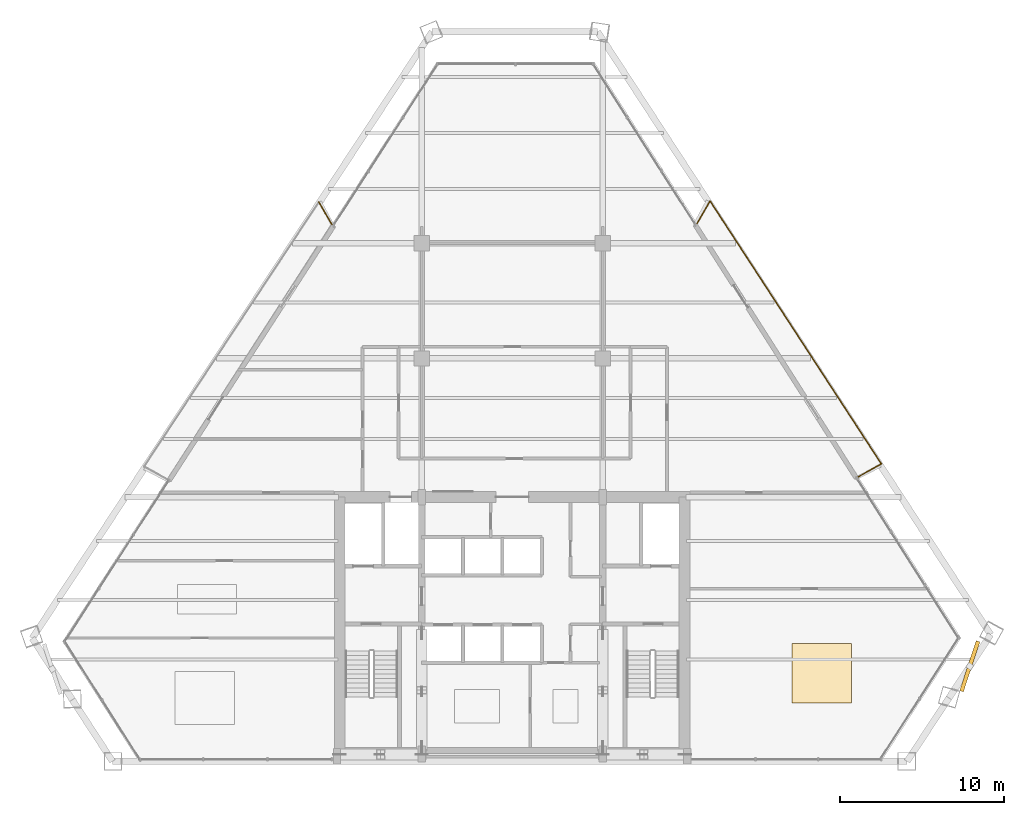
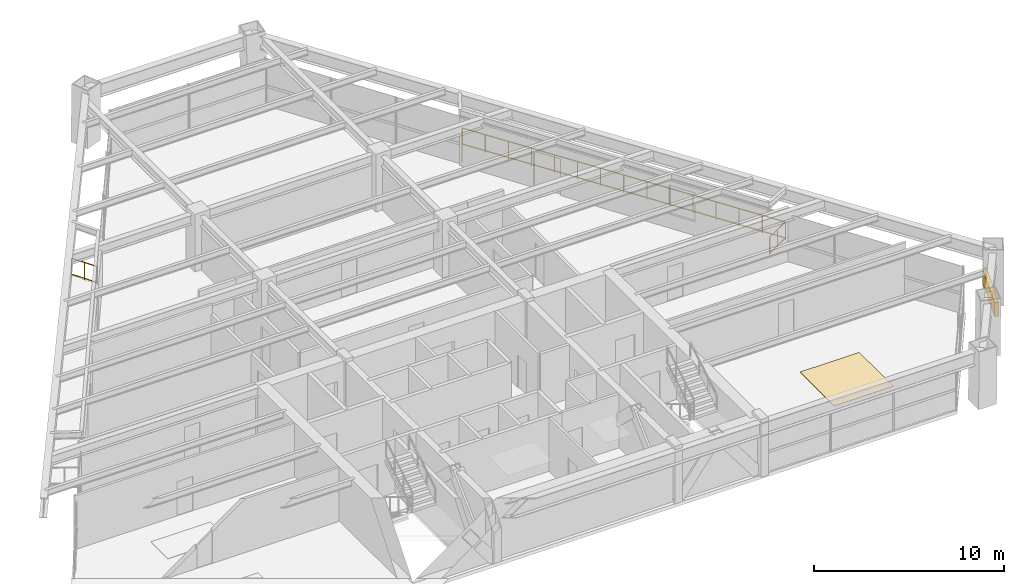
# One storey, part 15 of 15: 4 railings, 1 covering, 1 shading device.
"""IFC4 building model written with IfcOpenShell, lengths in metres."""

from ifc_helpers import new_model, si_unit, direction, frame, origin, origin_2d, place, context, subcontext, project, spatial, rectangle, extrude, source, transform, mapped, material, layer, layer_set, type_object, type_shapes, element, save


model = new_model("IFC4")

# Units and contexts
model_context = context("Model", 3, precision=1e-05, world=origin(), true_north=direction((0.0, 1.0)))
body_context = subcontext(model_context, "Body", "Model", "MODEL_VIEW")
ifc_project = project(units=[si_unit("LENGTHUNIT", "METRE"), si_unit("AREAUNIT", "SQUARE_METRE"), si_unit("VOLUMEUNIT", "CUBIC_METRE"), si_unit("PLANEANGLEUNIT", "RADIAN"), si_unit("MASSUNIT", "GRAM", prefix="KILO")], contexts=[model_context])

# Site, building, storey
site_placement = place(None, origin())
site = spatial("IfcSite", under=ifc_project, at=site_placement, CompositionType="ELEMENT")
building_placement = place(site_placement, origin())
building = spatial("IfcBuilding", under=site, at=building_placement, Name="Varnakhor Terracotta Tower", CompositionType="ELEMENT")
storey_placement = place(building_placement, frame((0.0, 0.0, 147.800048828125)))
storey = spatial("IfcBuildingStorey", under=building, at=storey_placement, Name="L37", CompositionType="ELEMENT", Elevation=147.800048828125)

# Railings
ifc_material_1 = material(Name="Stainless Steel & Laminated Glass Guardrail", Category="steel")
railing_type = type_object("IfcRailingType", Name="RLG-LOGGIA-GUARD-1150", PredefinedType="GUARDRAIL", material=ifc_material_1)
railing_1_placement = place(storey_placement, frame((11.2373046875, 32.701171875, 0.0)))
element("IfcRailing", 1, at=railing_1_placement, inside=storey, type_object=railing_type, Name="L37 E Loggia Glass Guard 1", PredefinedType="GUARDRAIL", context=body_context, shape_type="SweptSolid", body=[
    extrude(rectangle(XDim=0.048095703125, YDim=0.048095703125, at=origin_2d()), frame((0.0, 0.0, 1.1259765625), z_axis=(0.503735433439, 0.863857982019, 0.0), x_axis=(-0.863857982019, 0.503735433439, 0.0)), (0.0, 0.0, 1.0), 1.5673828125),
    extrude(rectangle(XDim=0.048095703125, YDim=0.048095703125, at=origin_2d()), frame((0.0, 0.0, 0.10009765625), z_axis=(0.503735433439, 0.863857982019, 0.0), x_axis=(-0.863857982019, 0.503735433439, 0.0)), (0.0, 0.0, 1.0), 1.5673828125),
    extrude(rectangle(XDim=0.0419921875, YDim=0.0419921875, at=origin_2d()), origin(), (0.0, 0.0, 1.0), 1.101806640625),
    extrude(rectangle(XDim=0.0419921875, YDim=0.0419921875, at=origin_2d()), frame((0.394775390625, 0.677001953125, 0.0)), (0.0, 0.0, 1.0), 1.101806640625),
    extrude(rectangle(XDim=0.0419921875, YDim=0.0419921875, at=origin_2d()), frame((0.78955078125, 1.35400390625, 0.0)), (0.0, 0.0, 1.0), 1.101806640625),
])
railing_2_placement = place(storey_placement, frame((12.02685546875, 34.05517578125, 0.0)))
element("IfcRailing", 2, at=railing_2_placement, inside=storey, type_object=railing_type, Name="L37 E Loggia Glass Guard 2", PredefinedType="GUARDRAIL", context=body_context, shape_type="SweptSolid", body=[
    extrude(rectangle(XDim=0.048095703125, YDim=0.048095703125, at=origin_2d()), frame((0.0, 0.0, 1.1259765625), z_axis=(0.546411934736, -0.837516565554, 0.0), x_axis=(0.837516565554, 0.546411934736, 0.0)), (0.0, 0.0, 1.0), 19.06201171875),
    extrude(rectangle(XDim=0.048095703125, YDim=0.048095703125, at=origin_2d()), frame((0.0, 0.0, 0.10009765625), z_axis=(0.546411934736, -0.837516565554, 0.0), x_axis=(0.837516565554, 0.546411934736, 0.0)), (0.0, 0.0, 1.0), 19.06201171875),
    extrude(rectangle(XDim=0.0419921875, YDim=0.0419921875, at=origin_2d()), origin(), (0.0, 0.0, 1.0), 1.101806640625),
    extrude(rectangle(XDim=0.0419921875, YDim=0.0419921875, at=origin_2d()), frame((0.743896484375, -1.140380859375, 0.0)), (0.0, 0.0, 1.0), 1.101806640625),
    extrude(rectangle(XDim=0.0419921875, YDim=0.0419921875, at=origin_2d()), frame((1.488037109375, -2.28076171875, 0.0)), (0.0, 0.0, 1.0), 1.101806640625),
    extrude(rectangle(XDim=0.0419921875, YDim=0.0419921875, at=origin_2d()), frame((2.23193359375, -3.421142578125, 0.0)), (0.0, 0.0, 1.0), 1.101806640625),
    extrude(rectangle(XDim=0.0419921875, YDim=0.0419921875, at=origin_2d()), frame((2.975830078125, -4.561279296875, 0.0)), (0.0, 0.0, 1.0), 1.101806640625),
    extrude(rectangle(XDim=0.0419921875, YDim=0.0419921875, at=origin_2d()), frame((3.719970703125, -5.70166015625, 0.0)), (0.0, 0.0, 1.0), 1.101806640625),
    extrude(rectangle(XDim=0.0419921875, YDim=0.0419921875, at=origin_2d()), frame((4.4638671875, -6.842041015625, 0.0)), (0.0, 0.0, 1.0), 1.101806640625),
    extrude(rectangle(XDim=0.0419921875, YDim=0.0419921875, at=origin_2d()), frame((5.2080078125, -7.982421875, 0.0)), (0.0, 0.0, 1.0), 1.101806640625),
    extrude(rectangle(XDim=0.0419921875, YDim=0.0419921875, at=origin_2d()), frame((5.951904296875, -9.122802734375, 0.0)), (0.0, 0.0, 1.0), 1.101806640625),
    extrude(rectangle(XDim=0.0419921875, YDim=0.0419921875, at=origin_2d()), frame((6.69580078125, -10.26318359375, 0.0)), (0.0, 0.0, 1.0), 1.101806640625),
    extrude(rectangle(XDim=0.0419921875, YDim=0.0419921875, at=origin_2d()), frame((7.43994140625, -11.403564453125, 0.0)), (0.0, 0.0, 1.0), 1.101806640625),
    extrude(rectangle(XDim=0.0419921875, YDim=0.0419921875, at=origin_2d()), frame((8.183837890625, -12.543701171875, 0.0)), (0.0, 0.0, 1.0), 1.101806640625),
    extrude(rectangle(XDim=0.0419921875, YDim=0.0419921875, at=origin_2d()), frame((8.927734375, -13.68408203125, 0.0)), (0.0, 0.0, 1.0), 1.101806640625),
    extrude(rectangle(XDim=0.0419921875, YDim=0.0419921875, at=origin_2d()), frame((9.671875, -14.824462890625, 0.0)), (0.0, 0.0, 1.0), 1.101806640625),
    extrude(rectangle(XDim=0.0419921875, YDim=0.0419921875, at=origin_2d()), frame((10.415771484375, -15.96484375, 0.0)), (0.0, 0.0, 1.0), 1.101806640625),
])
railing_3_placement = place(storey_placement, frame((22.442626953125, 18.09033203125, 0.0)))
element("IfcRailing", 3, at=railing_3_placement, inside=storey, type_object=railing_type, Name="L37 E Loggia Glass Guard 3", PredefinedType="GUARDRAIL", context=body_context, shape_type="SweptSolid", body=[
    extrude(rectangle(XDim=0.048095703125, YDim=0.048095703125, at=origin_2d()), frame((0.0, 0.0, 1.1259765625), z_axis=(-0.870788704823, -0.491657433131, 0.0), x_axis=(0.491657433131, -0.870788704823, 0.0)), (0.0, 0.0, 1.0), 1.60986328125),
    extrude(rectangle(XDim=0.048095703125, YDim=0.048095703125, at=origin_2d()), frame((0.0, 0.0, 0.10009765625), z_axis=(-0.870788704823, -0.491657433131, 0.0), x_axis=(0.491657433131, -0.870788704823, 0.0)), (0.0, 0.0, 1.0), 1.60986328125),
    extrude(rectangle(XDim=0.0419921875, YDim=0.0419921875, at=origin_2d()), origin(), (0.0, 0.0, 1.0), 1.101806640625),
    extrude(rectangle(XDim=0.0419921875, YDim=0.0419921875, at=origin_2d()), frame((-0.700927734375, -0.395751953125, 0.0)), (0.0, 0.0, 1.0), 1.101806640625),
    extrude(rectangle(XDim=0.0419921875, YDim=0.0419921875, at=origin_2d()), frame((-1.40185546875, -0.79150390625, 0.0)), (0.0, 0.0, 1.0), 1.101806640625),
])
railing_4_placement = place(storey_placement, frame((-11.75634765625, 33.9951171875, 0.0)))
element("IfcRailing", 4, at=railing_4_placement, inside=storey, type_object=railing_type, Name="L37 W Loggia Glass Guard 3", PredefinedType="GUARDRAIL", context=body_context, shape_type="SweptSolid", body=[
    extrude(rectangle(XDim=0.048095703125, YDim=0.048095703125, at=origin_2d()), frame((0.0, 0.0, 1.1259765625), z_axis=(0.505623524844, -0.862754224055, 0.0), x_axis=(0.862754224055, 0.505623524844, 0.0)), (0.0, 0.0, 1.0), 1.56689453125),
    extrude(rectangle(XDim=0.048095703125, YDim=0.048095703125, at=origin_2d()), frame((0.0, 0.0, 0.10009765625), z_axis=(0.505623524844, -0.862754224055, 0.0), x_axis=(0.862754224055, 0.505623524844, 0.0)), (0.0, 0.0, 1.0), 1.56689453125),
    extrude(rectangle(XDim=0.0419921875, YDim=0.0419921875, at=origin_2d()), origin(), (0.0, 0.0, 1.0), 1.101806640625),
    extrude(rectangle(XDim=0.0419921875, YDim=0.0419921875, at=origin_2d()), frame((0.39599609375, -0.67578125, 0.0)), (0.0, 0.0, 1.0), 1.101806640625),
    extrude(rectangle(XDim=0.0419921875, YDim=0.0419921875, at=origin_2d()), frame((0.792236328125, -1.351806640625, 0.0)), (0.0, 0.0, 1.0), 1.101806640625),
])

# Shading device
ifc_material_2 = material(Name="Extruded Architectural Terracotta Screen", Category="masonry")
shading_device_type = type_object("IfcShadingDeviceType", Name="TERRACOTTA SOLAR SCREEN E", PredefinedType="USERDEFINED", material=ifc_material_2)
shared_shape_1 = source(origin(), body_context, "Body", "SweptSolid", [
    extrude(rectangle(XDim=3.199951171875, YDim=0.239990234375, at=origin_2d()), origin(), (0.0, 0.0, 1.0), 0.919921875),
])
type_shapes(shading_device_type, [shared_shape_1])
shading_device_placement = place(storey_placement, frame((27.817626953125, 5.78076171875, 1.7099609375), z_axis=(0.0, 0.0, 1.0), x_axis=(0.315599353483, 0.948892537689, 0.0)))
element("IfcShadingDevice", 5, at=shading_device_placement, inside=storey, type_object=shading_device_type, Name="L37 E Terracotta Solar Screen", ObjectType="SCREEN", PredefinedType="USERDEFINED", context=body_context, shape_type="MappedRepresentation", body=[
    mapped(shared_shape_1, transform((0.0, 0.0, 0.0), scale=1.0)),
])

# Covering
ifc_material_3 = material(Name="Honed Riyadh Limestone Flooring", Category="masonry")
ifc_layer = layer(ifc_material_3, 0.030029296875, Name="Honed Riyadh Limestone Flooring")
ifc_layer_set = layer_set([ifc_layer], Name="Honed Riyadh Limestone Flooring")
covering_type = type_object("IfcCoveringType", Name="COV-FLOOR-LIMESTONE", PredefinedType="FLOORING", material=ifc_layer_set)
shared_shape_2 = source(origin(), body_context, "Body", "SweptSolid", [
    extrude(rectangle(XDim=3.60009765625, YDim=3.60009765625, at=origin_2d()), origin(), (0.0, 0.0, 1.0), 0.02001953125),
])
covering_placement = place(storey_placement, frame((18.822021484375, 5.35205078125, 0.0), z_axis=(0.0, 0.0, 1.0), x_axis=(1.0, 0.0, 0.0)))
element("IfcCovering", 6, at=covering_placement, inside=storey, type_object=covering_type, Name="L37 Honed Stone Flooring 4", PredefinedType="FLOORING", context=body_context, shape_type="MappedRepresentation", body=[
    mapped(shared_shape_2, transform((0.0, 0.0, 0.0), scale=1.0)),
])

save(model, "model.ifc")
